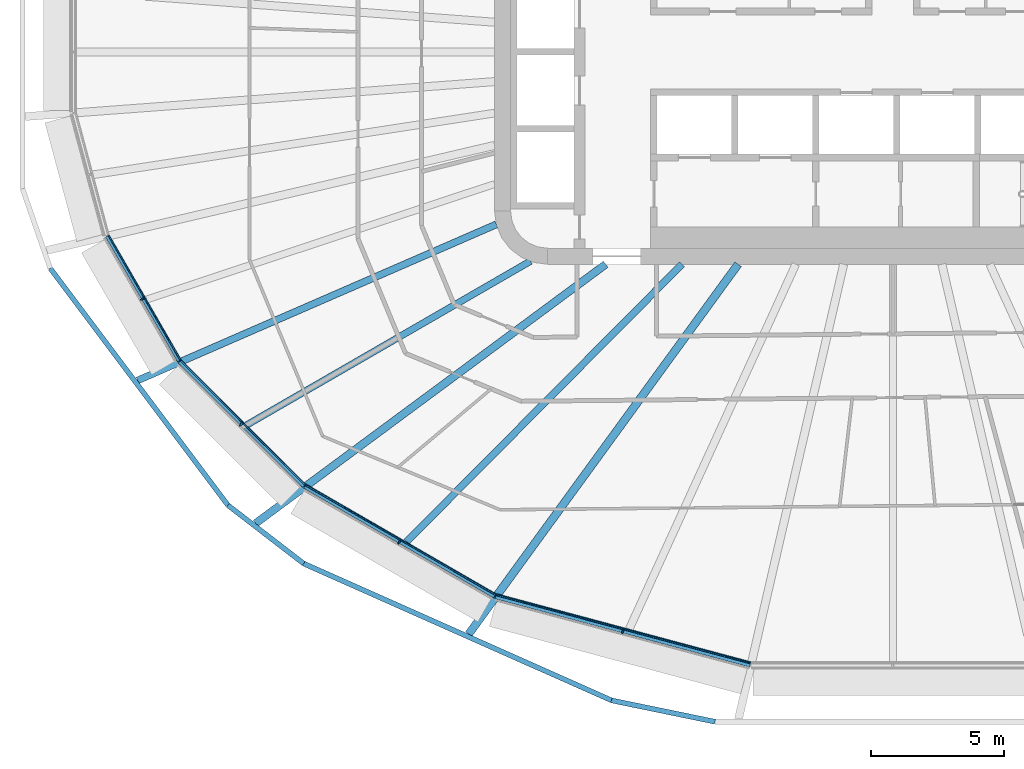
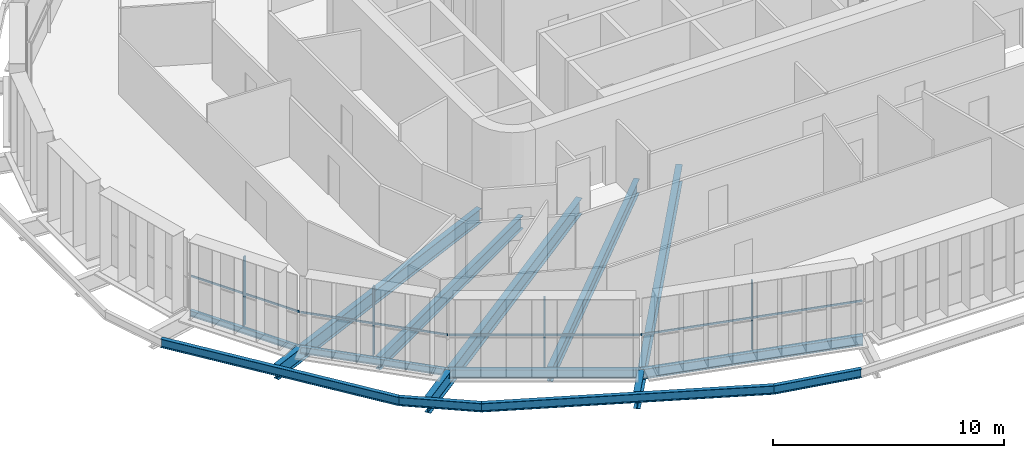
# One storey, part 1 of 24: 13 beams, 8 members, 4 elements without a shape of their own.
"""IFC4 building model written with IfcOpenShell, lengths in metres."""

from ifc_helpers import new_model, si_unit, direction, frame, origin, origin_2d, place, context, subcontext, project, spatial, rectangle, i_section, extrude, material, layer, layer_set, material_profile, profile_set, type_object, element, aggregate, save


model = new_model("IFC4")

# Units and contexts
model_context = context("Model", 3, precision=1e-05, world=origin(), true_north=direction((0.0, 1.0)))
body_context = subcontext(model_context, "Body", "Model", "MODEL_VIEW")
ifc_project = project(units=[si_unit("LENGTHUNIT", "METRE"), si_unit("AREAUNIT", "SQUARE_METRE"), si_unit("VOLUMEUNIT", "CUBIC_METRE"), si_unit("PLANEANGLEUNIT", "RADIAN"), si_unit("MASSUNIT", "GRAM", prefix="KILO")], contexts=[model_context])

# Site, building, storey
site_placement = place(None, origin())
site = spatial("IfcSite", under=ifc_project, at=site_placement, CompositionType="ELEMENT")
building_placement = place(site_placement, origin())
building = spatial("IfcBuilding", under=site, at=building_placement, Name="Sahrelin Media Tower", CompositionType="ELEMENT")
storey_placement = place(building_placement, frame((0.0, 0.0, 67.199951171875)))
storey = spatial("IfcBuildingStorey", under=building, at=storey_placement, Name="L11", CompositionType="ELEMENT", Elevation=67.199951171875)

# Beams
ifc_material_1 = material(Name="Steel S355", Category="steel")
ifc_material_profile_1 = material_profile(ifc_material_1, i_section(OverallWidth=0.1650390625, OverallDepth=0.303466796875, WebThickness=0.006103515625, FlangeThickness=0.01025390625, FilletRadius=0.0087890625, at=origin_2d()), Name="UB 305x165x40")
ifc_profile_set_1 = profile_set([ifc_material_profile_1], Name="Steel S355")
beam_type_1 = type_object("IfcBeamType", Name="Edge beam EB2", PredefinedType="BEAM", material=ifc_profile_set_1)
beam_1_placement = place(storey_placement, frame((-26.8671875, -11.633056640625, -0.3017578125), z_axis=(-0.500016918453, 0.866015635691, 0.0), x_axis=(-0.866015635691, -0.500016918453, 0.0)))
element("IfcBeam", 1, at=beam_1_placement, inside=storey, type_object=beam_type_1, Name="Edge beam L11-11", PredefinedType="BEAM", context=body_context, shape_type="SweptSolid", body=[
    extrude(i_section(OverallWidth=0.1650390625, OverallDepth=0.303466796875, WebThickness=0.006103515625, FlangeThickness=0.01025390625, FilletRadius=0.0087890625, at=origin_2d()), origin(), (0.0, 0.0, 1.0), 5.430419921875),
])
ifc_material_profile_2 = material_profile(ifc_material_1, i_section(OverallWidth=0.17138671875, OverallDepth=0.35498046875, WebThickness=0.00732421875, FlangeThickness=0.011474609375, FilletRadius=0.01025390625, at=origin_2d()), Name="UB 356x171x51")
ifc_profile_set_2 = profile_set([ifc_material_profile_2], Name="Steel S355")
beam_type_2 = type_object("IfcBeamType", Name="Edge beam EB3", PredefinedType="BEAM", material=ifc_profile_set_2)
beam_2_placement = place(storey_placement, frame((-22.1708984375, -16.334716796875, -0.327392578125), z_axis=(-0.707106781187, 0.707106781187, 0.0), x_axis=(-0.707106781187, -0.707106781187, 0.0)))
element("IfcBeam", 2, at=beam_2_placement, inside=storey, type_object=beam_type_2, Name="Edge beam L11-10", PredefinedType="BEAM", context=body_context, shape_type="SweptSolid", body=[
    extrude(i_section(OverallWidth=0.17138671875, OverallDepth=0.35498046875, WebThickness=0.00732421875, FlangeThickness=0.011474609375, FilletRadius=0.01025390625, at=origin_2d()), origin(), (0.0, 0.0, 1.0), 6.61669921875),
])
ifc_material_profile_3 = material_profile(ifc_material_1, i_section(OverallWidth=0.1904296875, OverallDepth=0.45703125, WebThickness=0.009033203125, FlangeThickness=0.014404296875, FilletRadius=0.01025390625, at=origin_2d()), Name="UB 457x191x74")
ifc_profile_set_3 = profile_set([ifc_material_profile_3], Name="Steel S355")
beam_type_3 = type_object("IfcBeamType", Name="Edge beam EB5", PredefinedType="BEAM", material=ifc_profile_set_3)
beam_3_placement = place(storey_placement, frame((-14.9853515625, -20.48779296875, -0.37841796875), z_axis=(-0.866016484387, 0.500015448532, 0.0), x_axis=(-0.500015448532, -0.866016484387, 0.0)))
element("IfcBeam", 3, at=beam_3_placement, inside=storey, type_object=beam_type_3, Name="Edge beam L11-09", PredefinedType="BEAM", context=body_context, shape_type="SweptSolid", body=[
    extrude(i_section(OverallWidth=0.1904296875, OverallDepth=0.45703125, WebThickness=0.009033203125, FlangeThickness=0.014404296875, FilletRadius=0.01025390625, at=origin_2d()), origin(), (0.0, 0.0, 1.0), 8.270751953125),
])
ifc_material_profile_4 = material_profile(ifc_material_1, i_section(OverallWidth=0.208740234375, OverallDepth=0.5283203125, WebThickness=0.009521484375, FlangeThickness=0.01318359375, FilletRadius=0.0126953125, at=origin_2d()), Name="UB 533x210x82")
ifc_profile_set_4 = profile_set([ifc_material_profile_4], Name="Steel S355")
beam_type_4 = type_object("IfcBeamType", Name="Edge beam EB6", PredefinedType="BEAM", material=ifc_profile_set_4)
beam_4_placement = place(storey_placement, frame((-5.36474609375, -23.0693359375, -0.4140625), z_axis=(-0.965929509631, 0.25880529829, 0.0), x_axis=(-0.25880529829, -0.965929509631, 0.0)))
element("IfcBeam", 4, at=beam_4_placement, inside=storey, type_object=beam_type_4, Name="Edge beam L11-08", PredefinedType="BEAM", context=body_context, shape_type="SweptSolid", body=[
    extrude(i_section(OverallWidth=0.208740234375, OverallDepth=0.5283203125, WebThickness=0.009521484375, FlangeThickness=0.01318359375, FilletRadius=0.0126953125, at=origin_2d()), origin(), (0.0, 0.0, 1.0), 9.932373046875),
])

# Curtain wall, member
ifc_material_2 = material(Name="Champagne anodised aluminium 6063-T6", Category="aluminium")
ifc_layer = layer(ifc_material_2, 0.14990234375)
ifc_layer_set = layer_set([ifc_layer], Name="Tower ribbon curtain wall")
curtain_wall_type = type_object("IfcCurtainWallType", Name="Tower ribbon curtain wall", PredefinedType="NOTDEFINED", material=ifc_layer_set)
curtain_wall_1_placement = place(storey_placement, frame((-28.354736328125, -9.356689453125, 0.0), z_axis=(0.0, 0.0, 1.0), x_axis=(1.0, 0.0, 0.0)))
curtain_wall_1 = element("IfcCurtainWall", 5, at=curtain_wall_1_placement, inside=storey, type_object=curtain_wall_type, Name="L11:CW:L11-14", PredefinedType="NOTDEFINED")
ifc_material_profile_5 = material_profile(ifc_material_2, rectangle(XDim=0.06005859375, YDim=0.14990234375, at=origin_2d()), Name="Mullion 60x150")
ifc_profile_set_5 = profile_set([ifc_material_profile_5], Name="Champagne anodised aluminium 6063-T6")
member_type_1 = type_object("IfcMemberType", Name="Mullion 60x150 CW1", PredefinedType="MULLION", material=ifc_profile_set_5)
member_1_placement = place(storey_placement, frame((-28.2724609375, -9.30908203125, 0.0), z_axis=(0.0, 0.0, 1.0), x_axis=(0.4999984885, -0.866026276448, 0.0)))
member_1 = element("IfcMember", 6, at=member_1_placement, type_object=member_type_1, Name="L11:CWM:L11-14", PredefinedType="MULLION", context=body_context, shape_type="SweptSolid", body=[
    extrude(rectangle(XDim=0.06005859375, YDim=0.14990234375, at=origin_2d()), origin(), (0.0, 0.0, 1.0), 3.648681640625),
])

curtain_wall_2_placement = place(storey_placement, frame((-24.616455078125, -14.101318359375, 0.0), z_axis=(0.0, 0.0, 1.0), x_axis=(1.0, 0.0, 0.0)))
curtain_wall_2 = element("IfcCurtainWall", 7, at=curtain_wall_2_placement, inside=storey, type_object=curtain_wall_type, Name="L11:CW:L11-15", PredefinedType="NOTDEFINED")
member_2_placement = place(storey_placement, frame((-24.54931640625, -14.0341796875, 0.0), z_axis=(0.0, 0.0, 1.0), x_axis=(0.707106781187, -0.707106781187, 0.0)))
member_2 = element("IfcMember", 8, at=member_2_placement, type_object=member_type_1, Name="L11:CWM:L11-15", PredefinedType="MULLION", context=body_context, shape_type="SweptSolid", body=[
    extrude(rectangle(XDim=0.06005859375, YDim=0.14990234375, at=origin_2d()), origin(), (0.0, 0.0, 1.0), 3.648681640625),
])

curtain_wall_3_placement = place(storey_placement, frame((-18.6416015625, -18.5498046875, 0.0), z_axis=(0.0, 0.0, 1.0), x_axis=(1.0, 0.0, 0.0)))
curtain_wall_3 = element("IfcCurtainWall", 9, at=curtain_wall_3_placement, inside=storey, type_object=curtain_wall_type, Name="L11:CW:L11-16", PredefinedType="NOTDEFINED")
member_3_placement = place(storey_placement, frame((-18.593994140625, -18.4677734375, 0.0), z_axis=(0.0, 0.0, 1.0), x_axis=(0.866024531118, -0.500001511499, 0.0)))
member_3 = element("IfcMember", 10, at=member_3_placement, type_object=member_type_1, Name="L11:CWM:L11-16", PredefinedType="MULLION", context=body_context, shape_type="SweptSolid", body=[
    extrude(rectangle(XDim=0.06005859375, YDim=0.14990234375, at=origin_2d()), origin(), (0.0, 0.0, 1.0), 3.648681640625),
])

curtain_wall_4_placement = place(storey_placement, frame((-10.200439453125, -21.928955078125, 0.0), z_axis=(0.0, 0.0, 1.0), x_axis=(1.0, 0.0, 0.0)))
curtain_wall_4 = element("IfcCurtainWall", 11, at=curtain_wall_4_placement, inside=storey, type_object=curtain_wall_type, Name="L11:CW:L11-17", PredefinedType="NOTDEFINED")
member_4_placement = place(storey_placement, frame((-10.17578125, -21.837158203125, 0.0), z_axis=(0.0, 0.0, 1.0), x_axis=(0.965926729732, -0.258815673384, 0.0)))
member_4 = element("IfcMember", 12, at=member_4_placement, type_object=member_type_1, Name="L11:CWM:L11-17", PredefinedType="MULLION", context=body_context, shape_type="SweptSolid", body=[
    extrude(rectangle(XDim=0.06005859375, YDim=0.14990234375, at=origin_2d()), origin(), (0.0, 0.0, 1.0), 3.648681640625),
])

# Beams
ifc_material_profile_6 = material_profile(ifc_material_1, i_section(OverallWidth=0.291748046875, OverallDepth=0.8349609375, WebThickness=0.013916015625, FlangeThickness=0.018798828125, FilletRadius=0.017822265625, at=origin_2d()), Name="UB 838x292x176")
ifc_profile_set_6 = profile_set([ifc_material_profile_6], Name="Steel S355")
beam_type_5 = type_object("IfcBeamType", Name="Radial primary beam PB10", PredefinedType="BEAM", material=ifc_profile_set_6)
beam_5_placement = place(storey_placement, frame((-10.81201171875, -8.0, -0.5673828125), z_axis=(-0.803875478247, -0.594797625646, 0.0), x_axis=(0.594797625646, -0.803875478247, 0.0)))
element("IfcBeam", 13, at=beam_5_placement, inside=storey, type_object=beam_type_5, Name="Radial beam L11-16", PredefinedType="BEAM", context=body_context, shape_type="SweptSolid", body=[
    extrude(i_section(OverallWidth=0.291748046875, OverallDepth=0.8349609375, WebThickness=0.013916015625, FlangeThickness=0.018798828125, FilletRadius=0.017822265625, at=origin_2d()), origin(), (0.0, 0.0, 1.0), 16.408447265625),
])
ifc_material_profile_7 = material_profile(ifc_material_1, i_section(OverallWidth=0.30322265625, OverallDepth=0.903076171875, WebThickness=0.01513671875, FlangeThickness=0.020263671875, FilletRadius=0.01904296875, at=origin_2d()), Name="UB 914x305x201")
ifc_profile_set_7 = profile_set([ifc_material_profile_7], Name="Steel S355")
beam_type_6 = type_object("IfcBeamType", Name="Radial primary beam PB11", PredefinedType="BEAM", material=ifc_profile_set_7)
beam_6_placement = place(storey_placement, frame((-5.827392578125, -8.0, -0.6015625), z_axis=(-0.588761918739, -0.808306503155, 0.0), x_axis=(0.808306503155, -0.588761918739, 0.0)))
element("IfcBeam", 14, at=beam_6_placement, inside=storey, type_object=beam_type_6, Name="Radial beam L11-17", PredefinedType="BEAM", context=body_context, shape_type="SweptSolid", body=[
    extrude(i_section(OverallWidth=0.30322265625, OverallDepth=0.903076171875, WebThickness=0.01513671875, FlangeThickness=0.020263671875, FilletRadius=0.01904296875, at=origin_2d()), origin(), (0.0, 0.0, 1.0), 17.236572265625),
])
ifc_material_profile_8 = material_profile(ifc_material_1, i_section(OverallWidth=0.26513671875, OverallDepth=0.75390625, WebThickness=0.0126953125, FlangeThickness=0.017578125, FilletRadius=0.0166015625, at=origin_2d()), Name="UB 762x267x147")
ifc_profile_set_8 = profile_set([ifc_material_profile_8], Name="Steel S355")
beam_type_7 = type_object("IfcBeamType", Name="Radial primary beam PB9", PredefinedType="BEAM", material=ifc_profile_set_8)
beam_7_placement = place(storey_placement, frame((-14.9345703125, -6.497314453125, -0.52685546875), z_axis=(-0.916976546495, -0.398941114926, 0.0), x_axis=(0.398941114926, -0.916976546495, 0.0)))
element("IfcBeam", 15, at=beam_7_placement, inside=storey, type_object=beam_type_7, Name="Radial beam L11-15", PredefinedType="BEAM", context=body_context, shape_type="SweptSolid", body=[
    extrude(i_section(OverallWidth=0.26513671875, OverallDepth=0.75390625, WebThickness=0.0126953125, FlangeThickness=0.017578125, FilletRadius=0.0166015625, at=origin_2d()), origin(), (0.0, 0.0, 1.0), 14.7392578125),
])
ifc_material_profile_9 = material_profile(ifc_material_1, i_section(OverallWidth=0.2529296875, OverallDepth=0.677978515625, WebThickness=0.01171875, FlangeThickness=0.01611328125, FilletRadius=0.01513671875, at=origin_2d()), Name="UB 686x254x125")
ifc_profile_set_9 = profile_set([ifc_material_profile_9], Name="Steel S355")
beam_type_8 = type_object("IfcBeamType", Name="Radial secondary beam SB8", PredefinedType="BEAM", material=ifc_profile_set_9)
beam_8_placement = place(storey_placement, frame((-13.64453125, -7.87939453125, -0.48876953125), z_axis=(-0.865985956665, -0.500068318192, 0.0), x_axis=(0.500068318192, -0.865985956665, 0.0)))
element("IfcBeam", 16, at=beam_8_placement, inside=storey, type_object=beam_type_8, Name="Secondary beam L11-15", PredefinedType="BEAM", context=body_context, shape_type="SweptSolid", body=[
    extrude(i_section(OverallWidth=0.2529296875, OverallDepth=0.677978515625, WebThickness=0.01171875, FlangeThickness=0.01611328125, FilletRadius=0.01513671875, at=origin_2d()), origin(), (0.0, 0.0, 1.0), 12.342529296875),
])
ifc_material_profile_10 = material_profile(ifc_material_1, i_section(OverallWidth=0.26513671875, OverallDepth=0.75390625, WebThickness=0.0126953125, FlangeThickness=0.017578125, FilletRadius=0.0166015625, at=origin_2d()), Name="UB 762x267x147")
ifc_profile_set_10 = profile_set([ifc_material_profile_10], Name="Steel S355")
beam_type_9 = type_object("IfcBeamType", Name="Radial secondary beam SB9", PredefinedType="BEAM", material=ifc_profile_set_10)
beam_9_placement = place(storey_placement, frame((-7.9404296875, -8.0, -0.52685546875), z_axis=(-0.704458173544, -0.709745504901, 0.0), x_axis=(0.709745504901, -0.704458173544, 0.0)))
element("IfcBeam", 17, at=beam_9_placement, inside=storey, type_object=beam_type_9, Name="Secondary beam L11-16", PredefinedType="BEAM", context=body_context, shape_type="SweptSolid", body=[
    extrude(i_section(OverallWidth=0.26513671875, OverallDepth=0.75390625, WebThickness=0.0126953125, FlangeThickness=0.017578125, FilletRadius=0.0166015625, at=origin_2d()), origin(), (0.0, 0.0, 1.0), 14.729736328125),
])
ifc_material_profile_11 = material_profile(ifc_material_1, i_section(OverallWidth=0.1904296875, OverallDepth=0.45703125, WebThickness=0.009033203125, FlangeThickness=0.014404296875, FilletRadius=0.01025390625, at=origin_2d()), Name="UB 457x191x74")
ifc_profile_set_11 = profile_set([ifc_material_profile_11], Name="Steel S355")
beam_type_10 = type_object("IfcBeamType", Name="Tie chord TC5", PredefinedType="BEAM", material=ifc_profile_set_11)
beam_10_placement = place(storey_placement, frame((-31.73828125, -8.152587890625, -0.37841796875), z_axis=(0.600059505481, -0.799955367431, 0.0), x_axis=(0.799955367431, 0.600059505481, 0.0)))
element("IfcBeam", 18, at=beam_10_placement, inside=storey, type_object=beam_type_10, Name="Tie chord L11-14", PredefinedType="BEAM", context=body_context, shape_type="SweptSolid", body=[
    extrude(i_section(OverallWidth=0.1904296875, OverallDepth=0.45703125, WebThickness=0.009033203125, FlangeThickness=0.014404296875, FilletRadius=0.01025390625, at=origin_2d()), origin(), (0.0, 0.0, 1.0), 11.159423828125),
])
beam_11_placement = place(storey_placement, frame((-25.0419921875, -17.07958984375, -0.37841796875), z_axis=(0.792407061468, -0.609992663018, 0.0), x_axis=(0.609992663018, 0.792407061468, 0.0)))
element("IfcBeam", 19, at=beam_11_placement, inside=storey, type_object=beam_type_10, Name="Tie chord L11-15", PredefinedType="BEAM", context=body_context, shape_type="SweptSolid", body=[
    extrude(i_section(OverallWidth=0.1904296875, OverallDepth=0.45703125, WebThickness=0.009033203125, FlangeThickness=0.014404296875, FilletRadius=0.01025390625, at=origin_2d()), origin(), (0.0, 0.0, 1.0), 3.598876953125),
])
beam_12_placement = place(storey_placement, frame((-22.190185546875, -19.27490234375, -0.37841796875), z_axis=(0.913834550776, -0.406086707252, 0.0), x_axis=(0.406086707252, 0.913834550776, 0.0)))
element("IfcBeam", 20, at=beam_12_placement, inside=storey, type_object=beam_type_10, Name="Tie chord L11-16", PredefinedType="BEAM", context=body_context, shape_type="SweptSolid", body=[
    extrude(i_section(OverallWidth=0.1904296875, OverallDepth=0.45703125, WebThickness=0.009033203125, FlangeThickness=0.014404296875, FilletRadius=0.01025390625, at=origin_2d()), origin(), (0.0, 0.0, 1.0), 12.69189453125),
])
beam_13_placement = place(storey_placement, frame((-10.591796875, -24.428955078125, -0.37841796875), z_axis=(0.979384954369, -0.202002750365, 0.0), x_axis=(0.202002750365, 0.979384954369, 0.0)))
element("IfcBeam", 21, at=beam_13_placement, inside=storey, type_object=beam_type_10, Name="Tie chord L11-17", PredefinedType="BEAM", context=body_context, shape_type="SweptSolid", body=[
    extrude(i_section(OverallWidth=0.1904296875, OverallDepth=0.45703125, WebThickness=0.009033203125, FlangeThickness=0.014404296875, FilletRadius=0.01025390625, at=origin_2d()), origin(), (0.0, 0.0, 1.0), 3.9775390625),
])

# Member
ifc_material_profile_12 = material_profile(ifc_material_2, rectangle(XDim=0.050048828125, YDim=0.10009765625, at=origin_2d()), Name="Transom 50x100")
ifc_profile_set_12 = profile_set([ifc_material_profile_12], Name="Champagne anodised aluminium 6063-T6")
member_type_2 = type_object("IfcMemberType", Name="Transom 50x100 CW1", PredefinedType="USERDEFINED", material=ifc_profile_set_12)
member_5_placement = place(storey_placement, frame((-29.53564453125, -6.92138671875, 1.60009765625), z_axis=(0.500005595877, -0.866022172979, 0.0), x_axis=(0.866022172979, 0.500005595877, 0.0)))
member_5 = element("IfcMember", 22, at=member_5_placement, type_object=member_type_2, Name="L11:CWT:L11-14", ObjectType="TRANSOM", PredefinedType="USERDEFINED", context=body_context, shape_type="SweptSolid", body=[
    extrude(rectangle(XDim=0.050048828125, YDim=0.10009765625, at=origin_2d()), origin(), (0.0, 0.0, 1.0), 5.39892578125),
])

aggregate(curtain_wall_1, [member_1, member_5])

member_6_placement = place(storey_placement, frame((-26.806884765625, -11.63525390625, 1.60009765625), z_axis=(0.707106781187, -0.707106781187, 0.0), x_axis=(0.707106781187, 0.707106781187, 0.0)))
member_6 = element("IfcMember", 23, at=member_6_placement, type_object=member_type_2, Name="L11:CWT:L11-15", ObjectType="TRANSOM", PredefinedType="USERDEFINED", context=body_context, shape_type="SweptSolid", body=[
    extrude(rectangle(XDim=0.050048828125, YDim=0.10009765625, at=origin_2d()), origin(), (0.0, 0.0, 1.0), 6.585693359375),
])

aggregate(curtain_wall_2, [member_2, member_6])

member_7_placement = place(storey_placement, frame((-22.11181640625, -16.3212890625, 1.60009765625), z_axis=(0.866028179265, -0.499995192696, 0.0), x_axis=(0.499995192696, 0.866028179265, 0.0)))
member_7 = element("IfcMember", 24, at=member_7_placement, type_object=member_type_2, Name="L11:CWT:L11-16", ObjectType="TRANSOM", PredefinedType="USERDEFINED", context=body_context, shape_type="SweptSolid", body=[
    extrude(rectangle(XDim=0.050048828125, YDim=0.10009765625, at=origin_2d()), origin(), (0.0, 0.0, 1.0), 8.2392578125),
])

aggregate(curtain_wall_3, [member_3, member_7])

member_8_placement = place(storey_placement, frame((-14.931884765625, -20.45947265625, 1.60009765625), z_axis=(0.965928130018, -0.258810447315, 0.0), x_axis=(0.258810447315, 0.965928130018, 0.0)))
member_8 = element("IfcMember", 25, at=member_8_placement, type_object=member_type_2, Name="L11:CWT:L11-17", ObjectType="TRANSOM", PredefinedType="USERDEFINED", context=body_context, shape_type="SweptSolid", body=[
    extrude(rectangle(XDim=0.050048828125, YDim=0.10009765625, at=origin_2d()), origin(), (0.0, 0.0, 1.0), 9.901123046875),
])

aggregate(curtain_wall_4, [member_4, member_8])

save(model, "model.ifc")
